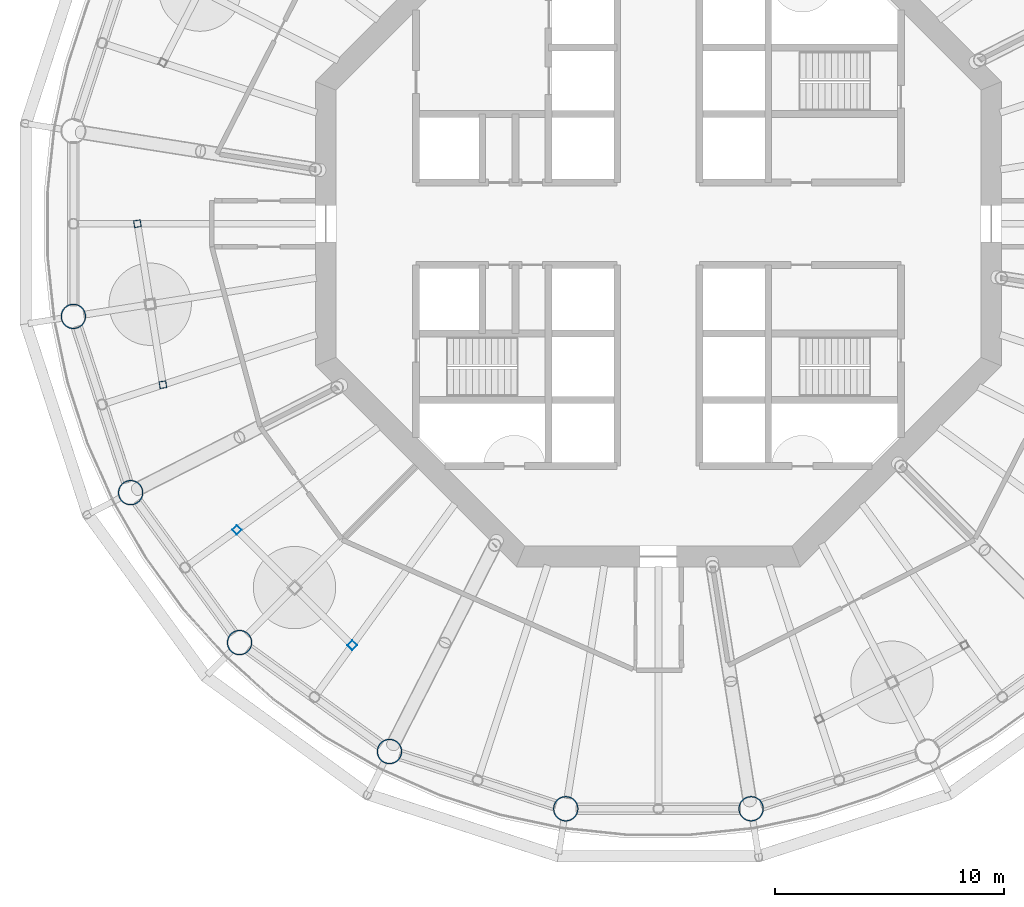
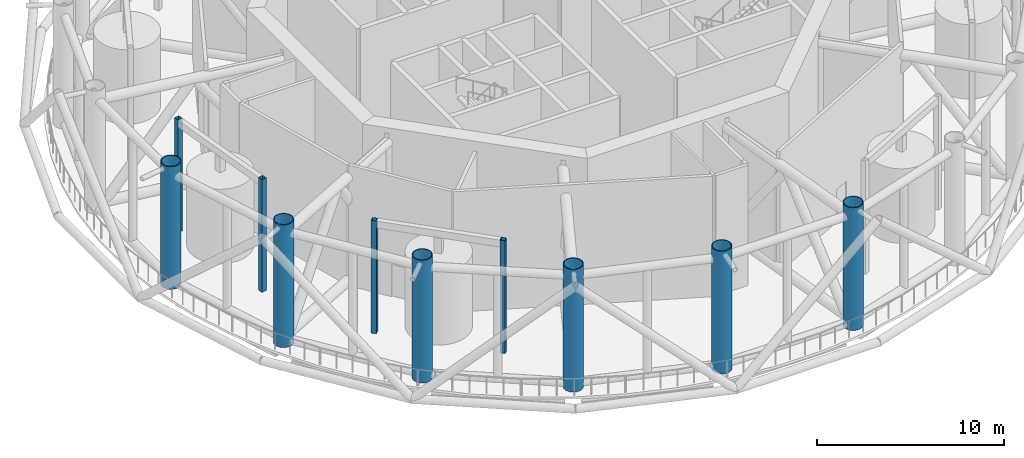
# One storey, part 1 of 22: 10 columns.
"""IFC4 building model written with IfcOpenShell, lengths in metres."""

from ifc_helpers import new_model, si_unit, direction, frame, origin, origin_2d, place, context, subcontext, project, spatial, hollow_rectangle, circle, hollow_circle, extrude, material, material_profile, profile_set, type_object, element, save


model = new_model("IFC4")

# Units and contexts
model_context = context("Model", 3, precision=1e-05, world=origin(), true_north=direction((0.0, 1.0)))
body_context = subcontext(model_context, "Body", "Model", "MODEL_VIEW")
ifc_project = project(units=[si_unit("LENGTHUNIT", "METRE"), si_unit("AREAUNIT", "SQUARE_METRE"), si_unit("VOLUMEUNIT", "CUBIC_METRE"), si_unit("PLANEANGLEUNIT", "RADIAN"), si_unit("MASSUNIT", "GRAM", prefix="KILO")], contexts=[model_context])

# Site, building, storey
site_placement = place(None, origin())
site = spatial("IfcSite", under=ifc_project, at=site_placement, CompositionType="ELEMENT")
building_placement = place(site_placement, origin())
building = spatial("IfcBuilding", under=site, at=building_placement, Name="Entoto Ring Tower", CompositionType="ELEMENT")
storey_placement = place(building_placement, frame((0.0, 0.0, 230.0)))
storey = spatial("IfcBuildingStorey", under=building, at=storey_placement, Name="L53", CompositionType="ELEMENT", Elevation=230.0)

# Columns
ifc_material_1 = material(Name="Steel S355", Category="steel")
ifc_material_profile_1 = material_profile(ifc_material_1, hollow_circle(Radius=0.550048828125, WallThickness=0.044921875, at=origin_2d()), Name="CHS 1100 x 45")
ifc_material_2 = material(Name="Concrete C60/75", Category="concrete")
ifc_material_profile_2 = material_profile(ifc_material_2, circle(Radius=0.5048828125, at=origin_2d()), Name="Concrete C60/75 infill")
ifc_profile_set_1 = profile_set([ifc_material_profile_1, ifc_material_profile_2], Name="Steel S355")
column_type_1 = type_object("IfcColumnType", Name="Ring column 1100 x 45 concrete-filled tube", PredefinedType="COLUMN", material=ifc_profile_set_1)
for number, where, z_axis, x_axis, name in (
    (1, (64.4189453125, 75.9482421875, 0.0), (0.0, 0.0, 1.0), (1.0, 0.0, 0.0), "RC4B R11"),
    (2, (66.9228515625, 68.24169921875, 0.0), (0.0, 0.0, 1.0), (1.0, 0.0, 0.0), "RC4B R12"),
    (3, (71.68603515625, 61.68603515625, 0.0), (0.0, 0.0, 1.0), (1.0, 0.0, 0.0), "RC4B R13"),
    (4, (78.24169921875, 56.9228515625, 0.0), (0.0, 0.0, 1.0), (1.0, 0.0, 0.0), "RC4B R14"),
    (5, (85.9482421875, 54.4189453125, 0.0), (0.0, 0.0, 1.0), (1.0, 0.0, 0.0), "RC4B R15"),
    (6, (94.0517578125, 54.4189453125, 0.0), (0.0, 0.0, 1.0), (1.0, 0.0, 0.0), "RC4B R16"),
):
    element("IfcColumn", number, at=place(storey_placement, frame(where, z_axis=z_axis, x_axis=x_axis)), inside=storey, type_object=column_type_1, Name=name, PredefinedType="COLUMN", context=body_context, shape_type="SweptSolid", body=[
        extrude(hollow_circle(Radius=0.550048828125, WallThickness=0.044921875, at=origin_2d()), origin(), (0.0, 0.0, 1.0), 8.0),
    ])
ifc_material_3 = material(Name="Steel S355", Category="steel")
ifc_material_profile_3 = material_profile(ifc_material_3, hollow_rectangle(XDim=0.300048828125, YDim=0.300048828125, WallThickness=0.011962890625, at=origin_2d()), Name="Turbine frame post 300 x 300 x 12 mm")
ifc_profile_set_2 = profile_set([ifc_material_profile_3], Name="Steel S355")
column_type_2 = type_object("IfcColumnType", Name="Turbine frame post 300 x 300 x 12 mm", PredefinedType="COLUMN", material=ifc_profile_set_2)
for number, where, z_axis, x_axis, name in (
    (7, (67.219482421875, 80.0, 0.0), (0.0, 0.0, 1.0), (0.15643446504, -0.987688340595, 0.0), "TURBINE FRAME POST 5a"),
    (8, (68.33447265625, 72.96044921875, 0.0), (0.0, 0.0, 1.0), (0.15643446504, -0.987688340595, 0.0), "TURBINE FRAME POST 5b"),
    (9, (71.5703125, 66.60986328125, 0.0), (0.0, 0.0, 1.0), (0.707106781187, -0.707106781187, 0.0), "TURBINE FRAME POST 6a"),
    (10, (76.60986328125, 61.5703125, 0.0), (0.0, 0.0, 1.0), (0.707106781187, -0.707106781187, 0.0), "TURBINE FRAME POST 6b"),
):
    element("IfcColumn", number, at=place(storey_placement, frame(where, z_axis=z_axis, x_axis=x_axis)), inside=storey, type_object=column_type_2, Name=name, PredefinedType="COLUMN", context=body_context, shape_type="SweptSolid", body=[
        extrude(hollow_rectangle(XDim=0.300048828125, YDim=0.300048828125, WallThickness=0.011962890625, at=origin_2d()), origin(), (0.0, 0.0, 1.0), 7.35009765625),
    ])

save(model, "model.ifc")
